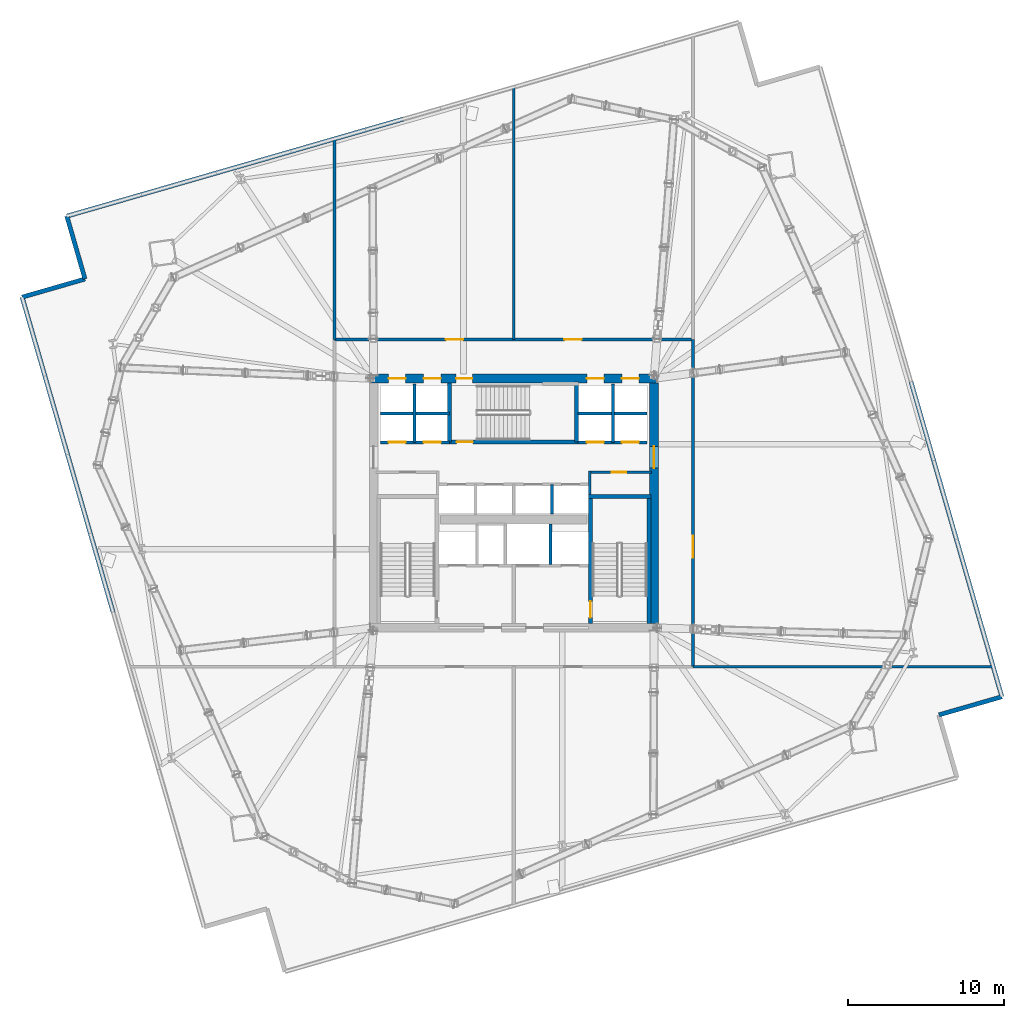
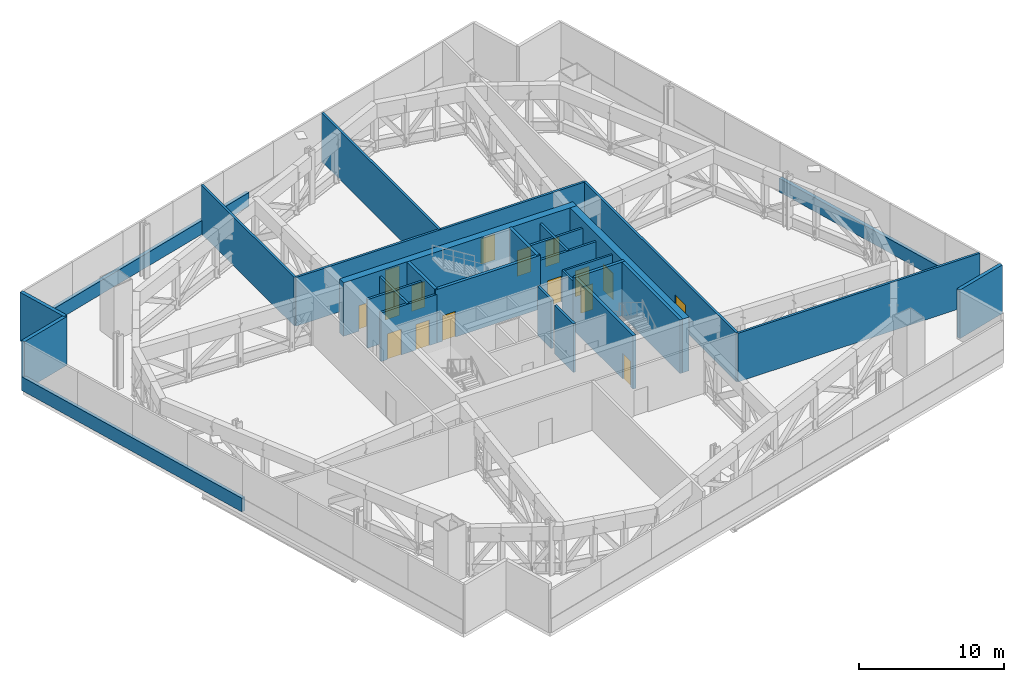
# One storey, part 13 of 19: 29 walls, 16 doors, 16 openings.
"""IFC4 building model written with IfcOpenShell, lengths in metres."""

from ifc_helpers import new_model, si_unit, direction, frame, frame_2d, origin, place, context, subcontext, project, spatial, rectangle, extrude, material, layer, layer_set, type_object, element, fill, save


model = new_model("IFC4")

# Units and contexts
model_context = context("Model", 3, precision=1e-05, world=origin(), true_north=direction((0.0, 1.0)))
body_context = subcontext(model_context, "Body", "Model", "MODEL_VIEW")
ifc_project = project(units=[si_unit("LENGTHUNIT", "METRE"), si_unit("AREAUNIT", "SQUARE_METRE"), si_unit("VOLUMEUNIT", "CUBIC_METRE"), si_unit("PLANEANGLEUNIT", "RADIAN"), si_unit("MASSUNIT", "GRAM", prefix="KILO")], contexts=[model_context])

# Site, building, storey
site_placement = place(None, origin())
site = spatial("IfcSite", under=ifc_project, at=site_placement, CompositionType="ELEMENT")
building_placement = place(site_placement, origin())
building = spatial("IfcBuilding", under=site, at=building_placement, Name="Haldenkirk Collegiate Tower", CompositionType="ELEMENT")
storey_placement = place(building_placement, frame((0.0, 0.0, 81.449951171875)))
storey = spatial("IfcBuildingStorey", under=building, at=storey_placement, Name="L19", CompositionType="ELEMENT", Elevation=81.449951171875)

# Wall, openings, doors
ifc_material_1 = material(Name="Concrete f'c 70 MPa", Category="concrete")
ifc_layer_1 = layer(ifc_material_1, 0.550048828125)
ifc_layer_set_1 = layer_set([ifc_layer_1], Name="Concrete f'c 70 MPa")
wall_type_1 = type_object("IfcWallType", Name="WL-CORE-550", PredefinedType="SHEAR", material=ifc_layer_set_1)
wall_1_placement = place(storey_placement, frame((26.72509765625, 34.0, 0.0), z_axis=(0.0, 0.0, 1.0), x_axis=(1.0, 0.0, 0.0)))
wall_1 = element("IfcWall", 1, at=wall_1_placement, inside=storey, type_object=wall_type_1, Name="L19 central core shear wall N", PredefinedType="SHEAR", context=body_context, shape_type="SweptSolid", body=[
    extrude(rectangle(XDim=18.5498046875, YDim=0.550048828125, at=frame_2d((9.27490234375, 0.0))), origin(), (0.0, 0.0, 1.0), 4.5),
])
opening_1_placement = place(wall_1_placement, frame((5.570068359375, 0.0, 0.0)))
opening_1 = element("IfcOpeningElement", 2, at=opening_1_placement, cuts=wall_1, Name="Opening D-01", PredefinedType="OPENING", context=body_context, shape_type="SweptSolid", body=[
    extrude(rectangle(XDim=1.050048828125, YDim=2.14990234375, at=frame_2d((0.52490234375, 1.074951171875))), frame((0.0, 0.284912109375, 0.0), z_axis=(0.0, -1.0, 0.0), x_axis=(1.0, 0.0, 0.0)), (0.0, 0.0, 1.0), 0.570068359375),
])
opening_2_placement = place(wall_1_placement, frame((1.239990234375, 0.0, 0.0)))
opening_2 = element("IfcOpeningElement", 3, at=opening_2_placement, cuts=wall_1, Name="Opening LD-11", PredefinedType="OPENING", context=body_context, shape_type="SweptSolid", body=[
    extrude(rectangle(XDim=1.10009765625, YDim=2.14990234375, at=frame_2d((0.550048828125, 1.074951171875))), frame((0.0, 0.284912109375, 0.0), z_axis=(0.0, -1.0, 0.0), x_axis=(1.0, 0.0, 0.0)), (0.0, 0.0, 1.0), 0.570068359375),
])
opening_3_placement = place(wall_1_placement, frame((3.489990234375, 0.0, 0.0)))
opening_3 = element("IfcOpeningElement", 4, at=opening_3_placement, cuts=wall_1, Name="Opening LD-11", PredefinedType="OPENING", context=body_context, shape_type="SweptSolid", body=[
    extrude(rectangle(XDim=1.10009765625, YDim=2.14990234375, at=frame_2d((0.550048828125, 1.074951171875))), frame((0.0, 0.284912109375, 0.0), z_axis=(0.0, -1.0, 0.0), x_axis=(1.0, 0.0, 0.0)), (0.0, 0.0, 1.0), 0.570068359375),
])
opening_4_placement = place(wall_1_placement, frame((13.9599609375, 0.0, 0.0)))
opening_4 = element("IfcOpeningElement", 5, at=opening_4_placement, cuts=wall_1, Name="Opening LD-11", PredefinedType="OPENING", context=body_context, shape_type="SweptSolid", body=[
    extrude(rectangle(XDim=1.10009765625, YDim=2.14990234375, at=frame_2d((0.550048828125, 1.074951171875))), frame((0.0, 0.284912109375, 0.0), z_axis=(0.0, -1.0, 0.0), x_axis=(1.0, 0.0, 0.0)), (0.0, 0.0, 1.0), 0.570068359375),
])
opening_5_placement = place(wall_1_placement, frame((16.2099609375, 0.0, 0.0)))
opening_5 = element("IfcOpeningElement", 6, at=opening_5_placement, cuts=wall_1, Name="Opening LD-11", PredefinedType="OPENING", context=body_context, shape_type="SweptSolid", body=[
    extrude(rectangle(XDim=1.10009765625, YDim=2.14990234375, at=frame_2d((0.550048828125, 1.074951171875))), frame((0.0, 0.284912109375, 0.0), z_axis=(0.0, -1.0, 0.0), x_axis=(1.0, 0.0, 0.0)), (0.0, 0.0, 1.0), 0.570068359375),
])
ifc_material_2 = material(Name="Galvanized fire-rated hollow steel door", Category="steel")
ifc_layer_2 = layer(ifc_material_2, 0.06005859375)
ifc_layer_set_2 = layer_set([ifc_layer_2], Name="Galvanized fire-rated hollow steel door")
door_type_1 = type_object("IfcDoorType", Name="DR-STAIR-FD90-1050", OperationType="NOTDEFINED", PredefinedType="DOOR", material=ifc_layer_set_2)
door_1_placement = place(opening_1_placement, origin())
door_1 = element("IfcDoor", 7, at=door_1_placement, inside=storey, type_object=door_type_1, Name="L19 north plant corridor Stair 3 door", OperationType="SINGLE_SWING_LEFT", OverallHeight=2.14990234375, OverallWidth=1.050048828125, PredefinedType="DOOR", context=body_context, shape_type="SweptSolid", body=[
    extrude(rectangle(XDim=1.050048828125, YDim=2.14990234375, at=frame_2d((0.52490234375, 1.074951171875))), frame((0.0, 0.02490234375, 0.0), z_axis=(0.0, -1.0, 0.0), x_axis=(1.0, 0.0, 0.0)), (0.0, 0.0, 1.0), 0.050048828125),
])
fill(opening_1, door_1)
ifc_material_3 = material(Name="Brushed architectural stainless steel", Category="steel")
ifc_layer_3 = layer(ifc_material_3, 0.06005859375)
ifc_layer_set_3 = layer_set([ifc_layer_3], Name="Brushed architectural stainless steel")
door_type_2 = type_object("IfcDoorType", Name="LD-PASS-1100", OperationType="NOTDEFINED", PredefinedType="DOOR", material=ifc_layer_set_3)
door_2_placement = place(opening_2_placement, origin())
door_2 = element("IfcDoor", 8, at=door_2_placement, inside=storey, type_object=door_type_2, Name="L19 Elevator PL3 sliding landing door", OperationType="SLIDING_TO_LEFT", OverallHeight=2.14990234375, OverallWidth=1.10009765625, PredefinedType="DOOR", context=body_context, shape_type="SweptSolid", body=[
    extrude(rectangle(XDim=1.10009765625, YDim=2.14990234375, at=frame_2d((0.550048828125, 1.074951171875))), frame((0.0, 0.02490234375, 0.0), z_axis=(0.0, -1.0, 0.0), x_axis=(1.0, 0.0, 0.0)), (0.0, 0.0, 1.0), 0.050048828125),
])
fill(opening_2, door_2)
door_3_placement = place(opening_3_placement, origin())
door_3 = element("IfcDoor", 9, at=door_3_placement, inside=storey, type_object=door_type_2, Name="L19 Elevator PL4 sliding landing door", OperationType="SLIDING_TO_LEFT", OverallHeight=2.14990234375, OverallWidth=1.10009765625, PredefinedType="DOOR", context=body_context, shape_type="SweptSolid", body=[
    extrude(rectangle(XDim=1.10009765625, YDim=2.14990234375, at=frame_2d((0.550048828125, 1.074951171875))), frame((0.0, 0.02490234375, 0.0), z_axis=(0.0, -1.0, 0.0), x_axis=(1.0, 0.0, 0.0)), (0.0, 0.0, 1.0), 0.050048828125),
])
fill(opening_3, door_3)
door_4_placement = place(opening_4_placement, origin())
door_4 = element("IfcDoor", 10, at=door_4_placement, inside=storey, type_object=door_type_2, Name="L19 Elevator PM3 sliding landing door", OperationType="SLIDING_TO_LEFT", OverallHeight=2.14990234375, OverallWidth=1.10009765625, PredefinedType="DOOR", context=body_context, shape_type="SweptSolid", body=[
    extrude(rectangle(XDim=1.10009765625, YDim=2.14990234375, at=frame_2d((0.550048828125, 1.074951171875))), frame((0.0, 0.02490234375, 0.0), z_axis=(0.0, -1.0, 0.0), x_axis=(1.0, 0.0, 0.0)), (0.0, 0.0, 1.0), 0.050048828125),
])
fill(opening_4, door_4)
door_5_placement = place(opening_5_placement, origin())
door_5 = element("IfcDoor", 11, at=door_5_placement, inside=storey, type_object=door_type_2, Name="L19 Elevator PM4 sliding landing door", OperationType="SLIDING_TO_LEFT", OverallHeight=2.14990234375, OverallWidth=1.10009765625, PredefinedType="DOOR", context=body_context, shape_type="SweptSolid", body=[
    extrude(rectangle(XDim=1.10009765625, YDim=2.14990234375, at=frame_2d((0.550048828125, 1.074951171875))), frame((0.0, 0.02490234375, 0.0), z_axis=(0.0, -1.0, 0.0), x_axis=(1.0, 0.0, 0.0)), (0.0, 0.0, 1.0), 0.050048828125),
])
fill(opening_5, door_5)

# Wall, opening, door
wall_2_placement = place(storey_placement, frame((45.0, 18.27490234375, 0.0), z_axis=(0.0, 0.0, 1.0), x_axis=(0.0, 1.0, 0.0)))
wall_2 = element("IfcWall", 12, at=wall_2_placement, inside=storey, type_object=wall_type_1, Name="L19 central core shear wall E", PredefinedType="SHEAR", context=body_context, shape_type="SweptSolid", body=[
    extrude(rectangle(XDim=15.4501953125, YDim=0.550048828125, at=frame_2d((7.72509765625, 0.0))), origin(), (0.0, 0.0, 1.0), 4.5),
])
opening_6_placement = place(wall_2_placement, frame((9.965087890625, 0.0, 0.0)))
opening_6 = element("IfcOpeningElement", 13, at=opening_6_placement, cuts=wall_2, Name="Opening D-03", PredefinedType="OPENING", context=body_context, shape_type="SweptSolid", body=[
    extrude(rectangle(XDim=1.39990234375, YDim=2.199951171875, at=frame_2d((0.699951171875, 1.10009765625))), frame((0.0, 0.284912109375, 0.0), z_axis=(0.0, -1.0, 0.0), x_axis=(1.0, 0.0, 0.0)), (0.0, 0.0, 1.0), 0.570068359375),
])
ifc_layer_4 = layer(ifc_material_2, 0.06005859375)
ifc_layer_set_4 = layer_set([ifc_layer_4], Name="Galvanized fire-rated hollow steel door")
door_type_3 = type_object("IfcDoorType", Name="DR-LOBBY-FD90-1400", OperationType="NOTDEFINED", PredefinedType="DOOR", material=ifc_layer_set_4)
door_6_placement = place(opening_6_placement, origin())
door_6 = element("IfcDoor", 14, at=door_6_placement, inside=storey, type_object=door_type_3, Name="L19 east lift lobby portal", OperationType="DOUBLE_DOOR_SINGLE_SWING", OverallHeight=2.199951171875, OverallWidth=1.39990234375, PredefinedType="DOOR", context=body_context, shape_type="SweptSolid", body=[
    extrude(rectangle(XDim=1.39990234375, YDim=2.199951171875, at=frame_2d((0.699951171875, 1.10009765625))), frame((0.0, 0.02490234375, 0.0), z_axis=(0.0, -1.0, 0.0), x_axis=(1.0, 0.0, 0.0)), (0.0, 0.0, 1.0), 0.050048828125),
])
fill(opening_6, door_6)

# Walls
ifc_material_4 = material(Name="Precast concrete f'c 40 MPa", Category="concrete")
ifc_layer_5 = layer(ifc_material_4, 0.280029296875)
ifc_layer_set_5 = layer_set([ifc_layer_5], Name="Precast concrete f'c 40 MPa")
wall_type_2 = type_object("IfcWallType", Name="WL-EXT-PLT-280", PredefinedType="STANDARD", material=ifc_layer_set_5)
wall_3_placement = place(storey_placement, frame((67.324462890625, 13.574462890625, 0.0), z_axis=(0.0, 0.0, 1.0), x_axis=(-0.960776841957, -0.277322663983, 0.0)))
element("IfcWall", 15, at=wall_3_placement, inside=storey, type_object=wall_type_2, Name="L19 plant corner precast wall 03", PredefinedType="STANDARD", context=body_context, shape_type="SweptSolid", body=[
    extrude(rectangle(XDim=4.2001953125, YDim=0.280029296875, at=frame_2d((2.10009765625, 0.0))), origin(), (0.0, 0.0, 1.0), 4.090087890625),
])
wall_4_placement = place(storey_placement, frame((61.490478515625, 33.78662109375, 0.0), z_axis=(0.0, 0.0, 1.0), x_axis=(0.277316613865, -0.960778588268, 0.0)))
element("IfcWall", 16, at=wall_4_placement, inside=storey, type_object=wall_type_2, Name="L19 plant room precast spandrel 04B", PredefinedType="STANDARD", context=body_context, shape_type="SweptSolid", body=[
    extrude(rectangle(XDim=21.037353515625, YDim=0.280029296875, at=frame_2d((10.5185546875, 0.0))), origin(), (0.0, 0.0, 1.0), 1.150146484375),
])
wall_5_placement = place(storey_placement, frame((7.3173828125, 44.418212890625, 0.0), z_axis=(0.0, 0.0, 1.0), x_axis=(0.960778077815, 0.277318382351, 0.0)))
element("IfcWall", 17, at=wall_5_placement, inside=storey, type_object=wall_type_2, Name="L19 plant room precast spandrel 07A", PredefinedType="STANDARD", context=body_context, shape_type="SweptSolid", body=[
    extrude(rectangle(XDim=22.4501953125, YDim=0.280029296875, at=frame_2d((11.22509765625, 0.0))), origin(), (0.0, 0.0, 1.0), 1.150146484375),
])
wall_6_placement = place(storey_placement, frame((8.482177734375, 40.383056640625, 0.0), z_axis=(0.0, 0.0, 1.0), x_axis=(-0.277338152402, 0.96077237118, 0.0)))
element("IfcWall", 18, at=wall_6_placement, inside=storey, type_object=wall_type_2, Name="L19 plant corner precast wall 08", PredefinedType="STANDARD", context=body_context, shape_type="SweptSolid", body=[
    extrude(rectangle(XDim=4.199951171875, YDim=0.280029296875, at=frame_2d((2.10009765625, 0.0))), origin(), (0.0, 0.0, 1.0), 4.090087890625),
])
wall_7_placement = place(storey_placement, frame((4.44677734375, 39.21826171875, 0.0), z_axis=(0.0, 0.0, 1.0), x_axis=(0.960776841957, 0.277322663983, 0.0)))
element("IfcWall", 19, at=wall_7_placement, inside=storey, type_object=wall_type_2, Name="L19 plant corner precast wall 09", PredefinedType="STANDARD", context=body_context, shape_type="SweptSolid", body=[
    extrude(rectangle(XDim=4.2001953125, YDim=0.280029296875, at=frame_2d((2.10009765625, 0.0))), origin(), (0.0, 0.0, 1.0), 4.090087890625),
])
wall_8_placement = place(storey_placement, frame((10.28076171875, 19.005859375, 0.0), z_axis=(0.0, 0.0, 1.0), x_axis=(-0.277313521824, 0.960779480741, 0.0)))
element("IfcWall", 20, at=wall_8_placement, inside=storey, type_object=wall_type_2, Name="L19 plant room precast spandrel 10B", PredefinedType="STANDARD", context=body_context, shape_type="SweptSolid", body=[
    extrude(rectangle(XDim=21.03759765625, YDim=0.280029296875, at=frame_2d((10.518798828125, 0.0))), origin(), (0.0, 0.0, 1.0), 1.150146484375),
])

# Wall, opening, door
ifc_material_5 = material(Name="Acoustic fire-rated gypsum partition", Category="concrete")
ifc_layer_6 = layer(ifc_material_5, 0.159912109375)
ifc_layer_set_6 = layer_set([ifc_layer_6], Name="Acoustic fire-rated gypsum partition")
wall_type_3 = type_object("IfcWallType", Name="WL-INT-CORR-160", PredefinedType="PARTITIONING", material=ifc_layer_set_6)
wall_9_placement = place(storey_placement, frame((40.800048828125, 27.97998046875, 0.0), z_axis=(0.0, 0.0, 1.0), x_axis=(1.0, 0.0, 0.0)))
wall_9 = element("IfcWall", 21, at=wall_9_placement, inside=storey, type_object=wall_type_3, Name="L19 interior partition IW-L19-VCSE-N", PredefinedType="PARTITIONING", context=body_context, shape_type="SweptSolid", body=[
    extrude(rectangle(XDim=4.050048828125, YDim=0.159912109375, at=frame_2d((2.02490234375, 0.0))), origin(), (0.0, 0.0, 1.0), 4.090087890625),
])
opening_7_placement = place(wall_9_placement, frame((1.47509765625, 0.0, 0.0)))
opening_7 = element("IfcOpeningElement", 22, at=opening_7_placement, cuts=wall_9, Name="Opening D-10", PredefinedType="OPENING", context=body_context, shape_type="SweptSolid", body=[
    extrude(rectangle(XDim=0.949951171875, YDim=2.14990234375, at=frame_2d((0.47509765625, 1.074951171875))), frame((0.0, 0.08984375, 0.0), z_axis=(0.0, -1.0, 0.0), x_axis=(1.0, 0.0, 0.0)), (0.0, 0.0, 1.0), 0.179931640625),
])
ifc_material_6 = material(Name="Solid-core architectural oak fire door", Category="wood")
ifc_layer_7 = layer(ifc_material_6, 0.06005859375)
ifc_layer_set_7 = layer_set([ifc_layer_7], Name="Solid-core architectural oak fire door")
door_type_4 = type_object("IfcDoorType", Name="DR-INT-FD60-950", OperationType="NOTDEFINED", PredefinedType="DOOR", material=ifc_layer_set_7)
door_7_placement = place(opening_7_placement, origin())
door_7 = element("IfcDoor", 23, at=door_7_placement, inside=storey, type_object=door_type_4, Name="L19 core mechanical store door", OperationType="SINGLE_SWING_RIGHT", OverallHeight=2.14990234375, OverallWidth=0.949951171875, PredefinedType="DOOR", context=body_context, shape_type="SweptSolid", body=[
    extrude(rectangle(XDim=0.949951171875, YDim=2.14990234375, at=frame_2d((0.47509765625, 1.074951171875))), frame((0.0, 0.02490234375, 0.0), z_axis=(0.0, -1.0, 0.0), x_axis=(1.0, 0.0, 0.0)), (0.0, 0.0, 1.0), 0.050048828125),
])
fill(opening_7, door_7)

# Walls
wall_10_placement = place(storey_placement, frame((40.8798828125, 26.5400390625, 0.0), z_axis=(0.0, 0.0, 1.0), x_axis=(0.0, 1.0, 0.0)))
element("IfcWall", 24, at=wall_10_placement, inside=storey, type_object=wall_type_3, Name="L19 interior partition IW-L19-VCSE-W", PredefinedType="PARTITIONING", context=body_context, shape_type="SweptSolid", body=[
    extrude(rectangle(XDim=1.510009765625, YDim=0.159912109375, at=frame_2d((0.7548828125, 0.0))), origin(), (0.0, 0.0, 1.0), 4.090087890625),
])
ifc_material_7 = material(Name="Fire-rated gypsum shaftboard assembly", Category="concrete")
ifc_layer_8 = layer(ifc_material_7, 0.179931640625)
ifc_layer_set_8 = layer_set([ifc_layer_8], Name="Fire-rated gypsum shaftboard assembly")
wall_type_4 = type_object("IfcWallType", Name="WL-INT-SHAFT-180", PredefinedType="PARTITIONING", material=ifc_layer_set_8)
wall_11_placement = place(storey_placement, frame((38.35009765625, 22.050048828125, 0.0), z_axis=(0.0, 0.0, 1.0), x_axis=(0.0, 1.0, 0.0)))
element("IfcWall", 25, at=wall_11_placement, inside=storey, type_object=wall_type_4, Name="L19 interior partition IW-L19-GL1E", PredefinedType="PARTITIONING", context=body_context, shape_type="SweptSolid", body=[
    extrude(rectangle(XDim=2.599853515625, YDim=0.179931640625, at=frame_2d((1.2998046875, 0.0))), origin(), (0.0, 0.0, 1.0), 4.090087890625),
])

# Wall, openings, doors
wall_12_placement = place(storey_placement, frame((27.449951171875, 29.89990234375, 0.0), z_axis=(0.0, 0.0, 1.0), x_axis=(1.0, 0.0, 0.0)))
wall_12 = element("IfcWall", 26, at=wall_12_placement, inside=storey, type_object=wall_type_4, Name="L19 interior partition IW-L19-PLS", PredefinedType="PARTITIONING", context=body_context, shape_type="SweptSolid", body=[
    extrude(rectangle(XDim=4.429931640625, YDim=0.179931640625, at=frame_2d((2.21484375, 0.0))), origin(), (0.0, 0.0, 1.0), 4.090087890625),
])
opening_8_placement = place(wall_12_placement, frame((0.514892578125, 0.0, 0.0)))
opening_8 = element("IfcOpeningElement", 27, at=opening_8_placement, cuts=wall_12, Name="Opening LD-11", PredefinedType="OPENING", context=body_context, shape_type="SweptSolid", body=[
    extrude(rectangle(XDim=1.10009765625, YDim=2.14990234375, at=frame_2d((0.550048828125, 1.074951171875))), frame((0.0, 0.099853515625, 0.0), z_axis=(0.0, -1.0, 0.0), x_axis=(1.0, 0.0, 0.0)), (0.0, 0.0, 1.0), 0.199951171875),
])
opening_9_placement = place(wall_12_placement, frame((2.764892578125, 0.0, 0.0)))
opening_9 = element("IfcOpeningElement", 28, at=opening_9_placement, cuts=wall_12, Name="Opening LD-11", PredefinedType="OPENING", context=body_context, shape_type="SweptSolid", body=[
    extrude(rectangle(XDim=1.10009765625, YDim=2.14990234375, at=frame_2d((0.550048828125, 1.074951171875))), frame((0.0, 0.099853515625, 0.0), z_axis=(0.0, -1.0, 0.0), x_axis=(1.0, 0.0, 0.0)), (0.0, 0.0, 1.0), 0.199951171875),
])
door_8_placement = place(opening_8_placement, origin())
door_8 = element("IfcDoor", 29, at=door_8_placement, inside=storey, type_object=door_type_2, Name="L19 Elevator PL1 sliding landing door", OperationType="SLIDING_TO_LEFT", OverallHeight=2.14990234375, OverallWidth=1.10009765625, PredefinedType="DOOR", context=body_context, shape_type="SweptSolid", body=[
    extrude(rectangle(XDim=1.10009765625, YDim=2.14990234375, at=frame_2d((0.550048828125, 1.074951171875))), frame((0.0, 0.02490234375, 0.0), z_axis=(0.0, -1.0, 0.0), x_axis=(1.0, 0.0, 0.0)), (0.0, 0.0, 1.0), 0.050048828125),
])
fill(opening_8, door_8)
door_9_placement = place(opening_9_placement, origin())
door_9 = element("IfcDoor", 30, at=door_9_placement, inside=storey, type_object=door_type_2, Name="L19 Elevator PL2 sliding landing door", OperationType="SLIDING_TO_LEFT", OverallHeight=2.14990234375, OverallWidth=1.10009765625, PredefinedType="DOOR", context=body_context, shape_type="SweptSolid", body=[
    extrude(rectangle(XDim=1.10009765625, YDim=2.14990234375, at=frame_2d((0.550048828125, 1.074951171875))), frame((0.0, 0.02490234375, 0.0), z_axis=(0.0, -1.0, 0.0), x_axis=(1.0, 0.0, 0.0)), (0.0, 0.0, 1.0), 0.050048828125),
])
fill(opening_9, door_9)

# Walls
wall_13_placement = place(storey_placement, frame((27.449951171875, 31.75, 0.0), z_axis=(0.0, 0.0, 1.0), x_axis=(1.0, 0.0, 0.0)))
element("IfcWall", 31, at=wall_13_placement, inside=storey, type_object=wall_type_4, Name="L19 interior partition IW-L19-PLM", PredefinedType="PARTITIONING", context=body_context, shape_type="SweptSolid", body=[
    extrude(rectangle(XDim=4.429931640625, YDim=0.179931640625, at=frame_2d((2.21484375, 0.0))), origin(), (0.0, 0.0, 1.0), 4.090087890625),
])
wall_14_placement = place(storey_placement, frame((29.6298828125, 29.89990234375, 0.0), z_axis=(0.0, 0.0, 1.0), x_axis=(0.0, 1.0, 0.0)))
element("IfcWall", 32, at=wall_14_placement, inside=storey, type_object=wall_type_4, Name="L19 interior partition IW-L19-PLV", PredefinedType="PARTITIONING", context=body_context, shape_type="SweptSolid", body=[
    extrude(rectangle(XDim=3.75, YDim=0.179931640625, at=frame_2d((1.875, 0.0))), origin(), (0.0, 0.0, 1.0), 4.090087890625),
])

# Wall, openings, doors
wall_15_placement = place(storey_placement, frame((40.1201171875, 29.89990234375, 0.0), z_axis=(0.0, 0.0, 1.0), x_axis=(1.0, 0.0, 0.0)))
wall_15 = element("IfcWall", 33, at=wall_15_placement, inside=storey, type_object=wall_type_4, Name="L19 interior partition IW-L19-PMS", PredefinedType="PARTITIONING", context=body_context, shape_type="SweptSolid", body=[
    extrude(rectangle(XDim=4.429931640625, YDim=0.179931640625, at=frame_2d((2.21484375, 0.0))), origin(), (0.0, 0.0, 1.0), 4.090087890625),
])
opening_10_placement = place(wall_15_placement, frame((0.56494140625, 0.0, 0.0)))
opening_10 = element("IfcOpeningElement", 34, at=opening_10_placement, cuts=wall_15, Name="Opening LD-11", PredefinedType="OPENING", context=body_context, shape_type="SweptSolid", body=[
    extrude(rectangle(XDim=1.10009765625, YDim=2.14990234375, at=frame_2d((0.550048828125, 1.074951171875))), frame((0.0, 0.099853515625, 0.0), z_axis=(0.0, -1.0, 0.0), x_axis=(1.0, 0.0, 0.0)), (0.0, 0.0, 1.0), 0.199951171875),
])
opening_11_placement = place(wall_15_placement, frame((2.81494140625, 0.0, 0.0)))
opening_11 = element("IfcOpeningElement", 35, at=opening_11_placement, cuts=wall_15, Name="Opening LD-11", PredefinedType="OPENING", context=body_context, shape_type="SweptSolid", body=[
    extrude(rectangle(XDim=1.10009765625, YDim=2.14990234375, at=frame_2d((0.550048828125, 1.074951171875))), frame((0.0, 0.099853515625, 0.0), z_axis=(0.0, -1.0, 0.0), x_axis=(1.0, 0.0, 0.0)), (0.0, 0.0, 1.0), 0.199951171875),
])
door_10_placement = place(opening_10_placement, origin())
door_10 = element("IfcDoor", 36, at=door_10_placement, inside=storey, type_object=door_type_2, Name="L19 Elevator PM1 sliding landing door", OperationType="SLIDING_TO_LEFT", OverallHeight=2.14990234375, OverallWidth=1.10009765625, PredefinedType="DOOR", context=body_context, shape_type="SweptSolid", body=[
    extrude(rectangle(XDim=1.10009765625, YDim=2.14990234375, at=frame_2d((0.550048828125, 1.074951171875))), frame((0.0, 0.02490234375, 0.0), z_axis=(0.0, -1.0, 0.0), x_axis=(1.0, 0.0, 0.0)), (0.0, 0.0, 1.0), 0.050048828125),
])
fill(opening_10, door_10)
door_11_placement = place(opening_11_placement, origin())
door_11 = element("IfcDoor", 37, at=door_11_placement, inside=storey, type_object=door_type_2, Name="L19 Elevator PM2 sliding landing door", OperationType="SLIDING_TO_LEFT", OverallHeight=2.14990234375, OverallWidth=1.10009765625, PredefinedType="DOOR", context=body_context, shape_type="SweptSolid", body=[
    extrude(rectangle(XDim=1.10009765625, YDim=2.14990234375, at=frame_2d((0.550048828125, 1.074951171875))), frame((0.0, 0.02490234375, 0.0), z_axis=(0.0, -1.0, 0.0), x_axis=(1.0, 0.0, 0.0)), (0.0, 0.0, 1.0), 0.050048828125),
])
fill(opening_11, door_11)

# Walls
wall_16_placement = place(storey_placement, frame((40.1201171875, 31.75, 0.0), z_axis=(0.0, 0.0, 1.0), x_axis=(1.0, 0.0, 0.0)))
element("IfcWall", 38, at=wall_16_placement, inside=storey, type_object=wall_type_4, Name="L19 interior partition IW-L19-PMM", PredefinedType="PARTITIONING", context=body_context, shape_type="SweptSolid", body=[
    extrude(rectangle(XDim=4.429931640625, YDim=0.179931640625, at=frame_2d((2.21484375, 0.0))), origin(), (0.0, 0.0, 1.0), 4.090087890625),
])
wall_17_placement = place(storey_placement, frame((42.3701171875, 29.89990234375, 0.0), z_axis=(0.0, 0.0, 1.0), x_axis=(0.0, 1.0, 0.0)))
element("IfcWall", 39, at=wall_17_placement, inside=storey, type_object=wall_type_4, Name="L19 interior partition IW-L19-PMV", PredefinedType="PARTITIONING", context=body_context, shape_type="SweptSolid", body=[
    extrude(rectangle(XDim=3.75, YDim=0.179931640625, at=frame_2d((1.875, 0.0))), origin(), (0.0, 0.0, 1.0), 4.090087890625),
])
wall_18_placement = place(storey_placement, frame((38.4599609375, 25.300048828125, 0.0), z_axis=(0.0, 0.0, 1.0), x_axis=(0.0, 1.0, 0.0)))
element("IfcWall", 40, at=wall_18_placement, inside=storey, type_object=wall_type_4, Name="L19 interior partition IW-L19-PHV3", PredefinedType="PARTITIONING", context=body_context, shape_type="SweptSolid", body=[
    extrude(rectangle(XDim=1.89990234375, YDim=0.179931640625, at=frame_2d((0.949951171875, 0.0))), origin(), (0.0, 0.0, 1.0), 4.090087890625),
])

# Wall, openings, doors
wall_19_placement = place(storey_placement, frame((24.5, 36.5, 0.0), z_axis=(0.0, 0.0, 1.0), x_axis=(1.0, 0.0, 0.0)))
wall_19 = element("IfcWall", 41, at=wall_19_placement, inside=storey, type_object=wall_type_4, Name="L19 interior partition IW-L19-CN", PredefinedType="PARTITIONING", context=body_context, shape_type="SweptSolid", body=[
    extrude(rectangle(XDim=23.0, YDim=0.179931640625, at=frame_2d((11.5, 0.0))), origin(), (0.0, 0.0, 1.0), 4.090087890625),
])
opening_12_placement = place(wall_19_placement, frame((7.14990234375, 0.0, 0.0)))
opening_12 = element("IfcOpeningElement", 42, at=opening_12_placement, cuts=wall_19, Name="Opening D-02", PredefinedType="OPENING", context=body_context, shape_type="SweptSolid", body=[
    extrude(rectangle(XDim=1.10009765625, YDim=2.14990234375, at=frame_2d((0.550048828125, 1.074951171875))), frame((0.0, 0.099853515625, 0.0), z_axis=(0.0, -1.0, 0.0), x_axis=(1.0, 0.0, 0.0)), (0.0, 0.0, 1.0), 0.199951171875),
])
opening_13_placement = place(wall_19_placement, frame((14.75, 0.0, 0.0)))
opening_13 = element("IfcOpeningElement", 43, at=opening_13_placement, cuts=wall_19, Name="Opening D-02", PredefinedType="OPENING", context=body_context, shape_type="SweptSolid", body=[
    extrude(rectangle(XDim=1.10009765625, YDim=2.14990234375, at=frame_2d((0.550048828125, 1.074951171875))), frame((0.0, 0.099853515625, 0.0), z_axis=(0.0, -1.0, 0.0), x_axis=(1.0, 0.0, 0.0)), (0.0, 0.0, 1.0), 0.199951171875),
])
ifc_layer_9 = layer(ifc_material_2, 0.06005859375)
ifc_layer_set_9 = layer_set([ifc_layer_9], Name="Galvanized fire-rated hollow steel door")
door_type_5 = type_object("IfcDoorType", Name="DR-STAIR-FD90-1100", OperationType="NOTDEFINED", PredefinedType="DOOR", material=ifc_layer_set_9)
door_12_placement = place(opening_12_placement, origin())
door_12 = element("IfcDoor", 44, at=door_12_placement, inside=storey, type_object=door_type_5, Name="L19 switchgear door", OperationType="SINGLE_SWING_LEFT", OverallHeight=2.14990234375, OverallWidth=1.10009765625, PredefinedType="DOOR", context=body_context, shape_type="SweptSolid", body=[
    extrude(rectangle(XDim=1.10009765625, YDim=2.14990234375, at=frame_2d((0.550048828125, 1.074951171875))), frame((0.0, 0.02490234375, 0.0), z_axis=(0.0, -1.0, 0.0), x_axis=(1.0, 0.0, 0.0)), (0.0, 0.0, 1.0), 0.050048828125),
])
fill(opening_12, door_12)
door_13_placement = place(opening_13_placement, origin())
door_13 = element("IfcDoor", 45, at=door_13_placement, inside=storey, type_object=door_type_5, Name="L19 pump room door", OperationType="SINGLE_SWING_RIGHT", OverallHeight=2.14990234375, OverallWidth=1.10009765625, PredefinedType="DOOR", context=body_context, shape_type="SweptSolid", body=[
    extrude(rectangle(XDim=1.10009765625, YDim=2.14990234375, at=frame_2d((0.550048828125, 1.074951171875))), frame((0.0, 0.02490234375, 0.0), z_axis=(0.0, -1.0, 0.0), x_axis=(1.0, 0.0, 0.0)), (0.0, 0.0, 1.0), 0.050048828125),
])
fill(opening_13, door_13)

# Wall, opening, door
wall_20_placement = place(storey_placement, frame((47.5, 15.5, 0.0), z_axis=(0.0, 0.0, 1.0), x_axis=(0.0, 1.0, 0.0)))
wall_20 = element("IfcWall", 46, at=wall_20_placement, inside=storey, type_object=wall_type_4, Name="L19 interior partition IW-L19-CE", PredefinedType="PARTITIONING", context=body_context, shape_type="SweptSolid", body=[
    extrude(rectangle(XDim=21.0, YDim=0.179931640625, at=frame_2d((10.5, 0.0))), origin(), (0.0, 0.0, 1.0), 4.090087890625),
])
opening_14_placement = place(wall_20_placement, frame((7.0, 0.0, 0.0)))
opening_14 = element("IfcOpeningElement", 47, at=opening_14_placement, cuts=wall_20, Name="Opening D-03", PredefinedType="OPENING", context=body_context, shape_type="SweptSolid", body=[
    extrude(rectangle(XDim=1.39990234375, YDim=2.199951171875, at=frame_2d((0.699951171875, 1.10009765625))), frame((0.0, 0.099853515625, 0.0), z_axis=(0.0, -1.0, 0.0), x_axis=(1.0, 0.0, 0.0)), (0.0, 0.0, 1.0), 0.199951171875),
])
door_14_placement = place(opening_14_placement, origin())
door_14 = element("IfcDoor", 48, at=door_14_placement, inside=storey, type_object=door_type_3, Name="L19 east plant door", OperationType="DOUBLE_DOOR_SINGLE_SWING", OverallHeight=2.199951171875, OverallWidth=1.39990234375, PredefinedType="DOOR", context=body_context, shape_type="SweptSolid", body=[
    extrude(rectangle(XDim=1.39990234375, YDim=2.199951171875, at=frame_2d((0.699951171875, 1.10009765625))), frame((0.0, 0.02490234375, 0.0), z_axis=(0.0, -1.0, 0.0), x_axis=(1.0, 0.0, 0.0)), (0.0, 0.0, 1.0), 0.050048828125),
])
fill(opening_14, door_14)

# Walls
wall_21_placement = place(storey_placement, frame((47.5, 15.5, 0.0), z_axis=(0.0, 0.0, 1.0), x_axis=(1.0, 0.0, 0.0)))
element("IfcWall", 49, at=wall_21_placement, inside=storey, type_object=wall_type_4, Name="L19 interior partition IW-L19-PLTE", PredefinedType="PARTITIONING", context=body_context, shape_type="SweptSolid", body=[
    extrude(rectangle(XDim=19.22705078125, YDim=0.179931640625, at=frame_2d((9.613525390625, 0.0))), origin(), (0.0, 0.0, 1.0), 4.090087890625),
])
wall_22_placement = place(storey_placement, frame((36.0, 36.5, 0.0), z_axis=(0.0, 0.0, 1.0), x_axis=(0.0, 1.0, 0.0)))
element("IfcWall", 50, at=wall_22_placement, inside=storey, type_object=wall_type_4, Name="L19 interior partition IW-L19-PLTN", PredefinedType="PARTITIONING", context=body_context, shape_type="SweptSolid", body=[
    extrude(rectangle(XDim=16.155517578125, YDim=0.179931640625, at=frame_2d((8.07763671875, 0.0))), origin(), (0.0, 0.0, 1.0), 4.090087890625),
])
wall_23_placement = place(storey_placement, frame((24.5, 36.5, 0.0), z_axis=(0.0, 0.0, 1.0), x_axis=(0.0, 1.0, 0.0)))
element("IfcWall", 51, at=wall_23_placement, inside=storey, type_object=wall_type_4, Name="L19 interior partition IW-L19-PLTNW", PredefinedType="PARTITIONING", context=body_context, shape_type="SweptSolid", body=[
    extrude(rectangle(XDim=12.836181640625, YDim=0.179931640625, at=frame_2d((6.41796875, 0.0))), origin(), (0.0, 0.0, 1.0), 4.090087890625),
])

# Wall, opening, door
ifc_material_8 = material(Name="Concrete f'c 55 MPa", Category="concrete")
ifc_layer_10 = layer(ifc_material_8, 0.239990234375)
ifc_layer_set_10 = layer_set([ifc_layer_10], Name="Concrete f'c 55 MPa")
wall_type_5 = type_object("IfcWallType", Name="WL-SHAFT-240", PredefinedType="SHEAR", material=ifc_layer_set_10)
wall_24_placement = place(storey_placement, frame((40.929931640625, 18.280029296875, 0.0), z_axis=(0.0, 0.0, 1.0), x_axis=(0.0, 1.0, 0.0)))
wall_24 = element("IfcWall", 52, at=wall_24_placement, inside=storey, type_object=wall_type_5, Name="L19 stair shaft shear wall SW-L19-ST2W", PredefinedType="SHEAR", context=body_context, shape_type="SweptSolid", body=[
    extrude(rectangle(XDim=8.260009765625, YDim=0.239990234375, at=frame_2d((4.1298828125, 0.0))), origin(), (0.0, 0.0, 1.0), 4.5),
])
opening_15_placement = place(wall_24_placement, frame((0.364990234375, 0.0, 0.0)))
opening_15 = element("IfcOpeningElement", 53, at=opening_15_placement, cuts=wall_24, Name="Opening D-01", PredefinedType="OPENING", context=body_context, shape_type="SweptSolid", body=[
    extrude(rectangle(XDim=1.050048828125, YDim=2.14990234375, at=frame_2d((0.52490234375, 1.074951171875))), frame((0.0, 0.1298828125, 0.0), z_axis=(0.0, -1.0, 0.0), x_axis=(1.0, 0.0, 0.0)), (0.0, 0.0, 1.0), 0.260009765625),
])
door_15_placement = place(opening_15_placement, origin())
door_15 = element("IfcDoor", 54, at=door_15_placement, inside=storey, type_object=door_type_1, Name="L19 Stair 2 door", OperationType="SINGLE_SWING_RIGHT", OverallHeight=2.14990234375, OverallWidth=1.050048828125, PredefinedType="DOOR", context=body_context, shape_type="SweptSolid", body=[
    extrude(rectangle(XDim=1.050048828125, YDim=2.14990234375, at=frame_2d((0.52490234375, 1.074951171875))), frame((0.0, 0.02490234375, 0.0), z_axis=(0.0, -1.0, 0.0), x_axis=(1.0, 0.0, 0.0)), (0.0, 0.0, 1.0), 0.050048828125),
])
fill(opening_15, door_15)

# Walls
wall_25_placement = place(storey_placement, frame((40.81005859375, 26.419921875, 0.0), z_axis=(0.0, 0.0, 1.0), x_axis=(1.0, 0.0, 0.0)))
element("IfcWall", 55, at=wall_25_placement, inside=storey, type_object=wall_type_5, Name="L19 stair shaft shear wall SW-L19-ST2N", PredefinedType="SHEAR", context=body_context, shape_type="SweptSolid", body=[
    extrude(rectangle(XDim=3.97998046875, YDim=0.239990234375, at=frame_2d((1.989990234375, 0.0))), origin(), (0.0, 0.0, 1.0), 4.5),
])
wall_26_placement = place(storey_placement, frame((44.669921875, 18.280029296875, 0.0), z_axis=(0.0, 0.0, 1.0), x_axis=(0.0, 1.0, 0.0)))
element("IfcWall", 56, at=wall_26_placement, inside=storey, type_object=wall_type_5, Name="L19 stair shaft shear wall SW-L19-ST2E", PredefinedType="SHEAR", context=body_context, shape_type="SweptSolid", body=[
    extrude(rectangle(XDim=8.260009765625, YDim=0.239990234375, at=frame_2d((4.1298828125, 0.0))), origin(), (0.0, 0.0, 1.0), 4.5),
])

# Wall, opening, door
wall_27_placement = place(storey_placement, frame((31.760009765625, 29.929931640625, 0.0), z_axis=(0.0, 0.0, 1.0), x_axis=(1.0, 0.0, 0.0)))
wall_27 = element("IfcWall", 57, at=wall_27_placement, inside=storey, type_object=wall_type_5, Name="L19 stair shaft shear wall SW-L19-ST3S", PredefinedType="SHEAR", context=body_context, shape_type="SweptSolid", body=[
    extrude(rectangle(XDim=8.3798828125, YDim=0.239990234375, at=frame_2d((4.18994140625, 0.0))), origin(), (0.0, 0.0, 1.0), 4.5),
])
opening_16_placement = place(wall_27_placement, frame((0.56494140625, 0.0, 0.0)))
opening_16 = element("IfcOpeningElement", 58, at=opening_16_placement, cuts=wall_27, Name="Opening D-01", PredefinedType="OPENING", context=body_context, shape_type="SweptSolid", body=[
    extrude(rectangle(XDim=1.050048828125, YDim=2.14990234375, at=frame_2d((0.52490234375, 1.074951171875))), frame((0.0, 0.1298828125, 0.0), z_axis=(0.0, -1.0, 0.0), x_axis=(1.0, 0.0, 0.0)), (0.0, 0.0, 1.0), 0.260009765625),
])
door_16_placement = place(opening_16_placement, origin())
door_16 = element("IfcDoor", 59, at=door_16_placement, inside=storey, type_object=door_type_1, Name="L19 lift lobby Stair 3 door", OperationType="SINGLE_SWING_LEFT", OverallHeight=2.14990234375, OverallWidth=1.050048828125, PredefinedType="DOOR", context=body_context, shape_type="SweptSolid", body=[
    extrude(rectangle(XDim=1.050048828125, YDim=2.14990234375, at=frame_2d((0.52490234375, 1.074951171875))), frame((0.0, 0.02490234375, 0.0), z_axis=(0.0, -1.0, 0.0), x_axis=(1.0, 0.0, 0.0)), (0.0, 0.0, 1.0), 0.050048828125),
])
fill(opening_16, door_16)

# Walls
wall_28_placement = place(storey_placement, frame((31.8798828125, 29.929931640625, 0.0), z_axis=(0.0, 0.0, 1.0), x_axis=(0.0, 1.0, 0.0)))
element("IfcWall", 60, at=wall_28_placement, inside=storey, type_object=wall_type_5, Name="L19 stair shaft shear wall SW-L19-ST3W", PredefinedType="SHEAR", context=body_context, shape_type="SweptSolid", body=[
    extrude(rectangle(XDim=3.7900390625, YDim=0.239990234375, at=frame_2d((1.89501953125, 0.0))), origin(), (0.0, 0.0, 1.0), 4.5),
])
wall_29_placement = place(storey_placement, frame((40.02001953125, 29.929931640625, 0.0), z_axis=(0.0, 0.0, 1.0), x_axis=(0.0, 1.0, 0.0)))
element("IfcWall", 61, at=wall_29_placement, inside=storey, type_object=wall_type_5, Name="L19 stair shaft shear wall SW-L19-ST3E", PredefinedType="SHEAR", context=body_context, shape_type="SweptSolid", body=[
    extrude(rectangle(XDim=3.85009765625, YDim=0.239990234375, at=frame_2d((1.925048828125, 0.0))), origin(), (0.0, 0.0, 1.0), 4.5),
])

save(model, "model.ifc")
